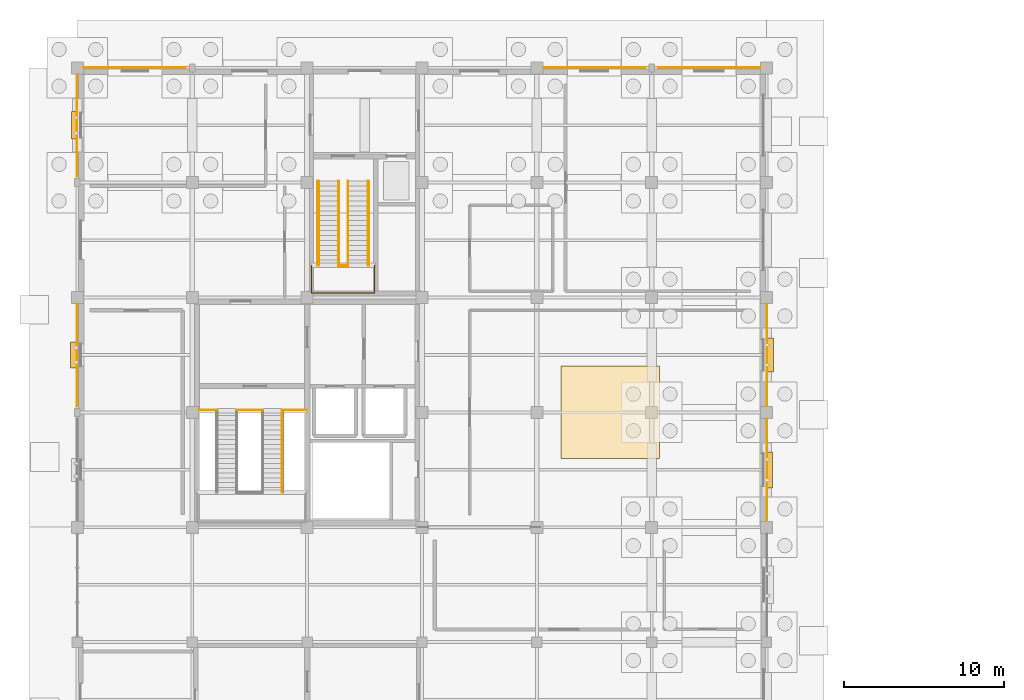
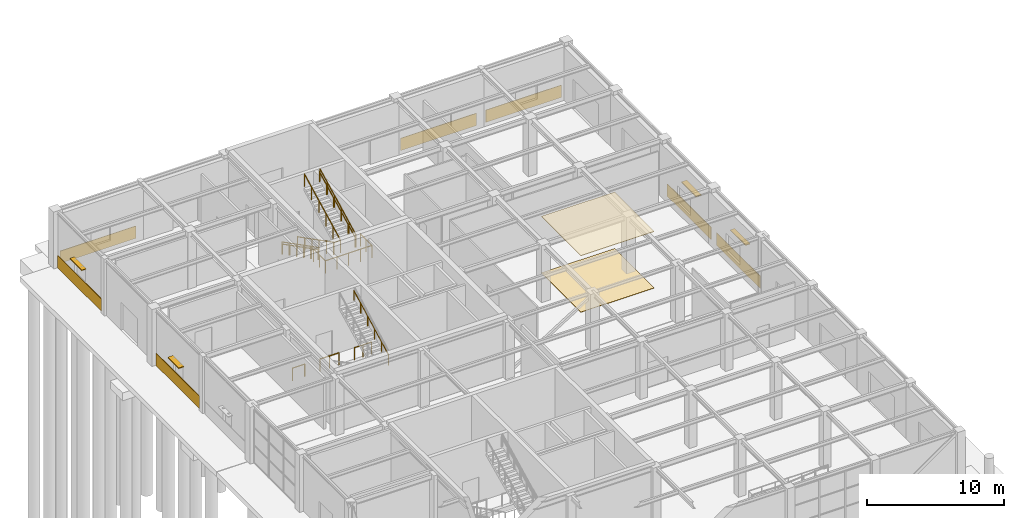
# One storey, part 73 of 75: 12 railings, 9 coverings, 4 shading devices.
"""IFC4 building model written with IfcOpenShell, lengths in metres."""

from ifc_helpers import new_model, si_unit, direction, frame, origin, origin_2d, place, context, subcontext, project, spatial, rectangle, circle, extrude, material, layer, layer_set, type_object, element, save


model = new_model("IFC4")

# Units and contexts
model_context = context("Model", 3, precision=1e-05, world=origin(), true_north=direction((0.0, 1.0)))
body_context = subcontext(model_context, "Body", "Model", "MODEL_VIEW")
ifc_project = project(units=[si_unit("LENGTHUNIT", "METRE"), si_unit("AREAUNIT", "SQUARE_METRE"), si_unit("VOLUMEUNIT", "CUBIC_METRE"), si_unit("PLANEANGLEUNIT", "RADIAN"), si_unit("MASSUNIT", "GRAM", prefix="KILO")], contexts=[model_context])

# Site, building, storey
site_placement = place(None, origin())
site = spatial("IfcSite", under=ifc_project, at=site_placement, CompositionType="ELEMENT")
building_placement = place(site_placement, origin())
building = spatial("IfcBuilding", under=site, at=building_placement, Name="Leyfeld Transit Interchange", CompositionType="ELEMENT")
storey_placement = place(building_placement, origin())
storey = spatial("IfcBuildingStorey", under=building, at=storey_placement, Name="L00", CompositionType="ELEMENT", Elevation=0.0)

# Coverings
ifc_material_1 = material(Name="Leitha limestone ashlar - Insulated", Category="masonry")
ifc_layer_1 = layer(ifc_material_1, 0.044921875, Name="Leitha limestone ashlar - Insulated")
ifc_layer_set_1 = layer_set([ifc_layer_1], Name="Leitha limestone ashlar - Insulated")
covering_type_1 = type_object("IfcCoveringType", Name="COV-CLD-STN", PredefinedType="CLADDING", material=ifc_layer_set_1)
for number, where, z_axis, x_axis, name in (
    (1, (-0.02197265625, 104.39990234375, 0.0), (0.0, 0.0, 1.0), (0.0, 1.0, 0.0), "Limestone Plinth Cladding 004"),
    (2, (-0.02197265625, 118.800048828125, 0.0), (0.0, 0.0, 1.0), (0.0, 1.0, 0.0), "Limestone Plinth Cladding 005"),
    (3, (3.60009765625, 122.422119140625, 0.0), (0.0, 0.0, 1.0), (1.0, 0.0, 0.0), "Limestone Plinth Cladding 006"),
    (4, (32.39990234375, 122.422119140625, 0.0), (0.0, 0.0, 1.0), (1.0, 0.0, 0.0), "Limestone Plinth Cladding 007"),
    (5, (39.60009765625, 122.422119140625, 0.0), (0.0, 0.0, 1.0), (1.0, 0.0, 0.0), "Limestone Plinth Cladding 008"),
    (6, (43.221923828125, 104.39990234375, 0.0), (0.0, 0.0, 1.0), (0.0, -1.0, 0.0), "Limestone Plinth Cladding 009"),
    (7, (43.221923828125, 97.199951171875, 0.0), (0.0, 0.0, 1.0), (0.0, -1.0, 0.0), "Limestone Plinth Cladding 010"),
):
    element("IfcCovering", number, at=place(storey_placement, frame(where, z_axis=z_axis, x_axis=x_axis)), inside=storey, type_object=covering_type_1, Name=name, PredefinedType="CLADDING", context=body_context, shape_type="SweptSolid", body=[
        extrude(rectangle(XDim=6.39990234375, YDim=0.044921875, at=origin_2d()), origin(), (0.0, 0.0, 1.0), 1.10009765625),
    ])
ifc_material_2 = material(Name="Austrian larch acoustic slat ceiling", Category="wood")
ifc_layer_2 = layer(ifc_material_2, 0.0400390625, Name="Austrian larch acoustic slat ceiling")
ifc_layer_set_2 = layer_set([ifc_layer_2], Name="Austrian larch acoustic slat ceiling")
covering_type_2 = type_object("IfcCoveringType", Name="COV-CLG-LRC", PredefinedType="CEILING", material=ifc_layer_set_2)
covering_1_placement = place(storey_placement, frame((33.39990234375, 100.800048828125, 5.044921875), z_axis=(0.0, 0.0, 1.0), x_axis=(1.0, 0.0, 0.0)))
element("IfcCovering", 8, at=covering_1_placement, inside=storey, type_object=covering_type_2, Name="Acoustic Slat Ceiling Bus & Rail Crew Sign-On Office", PredefinedType="CEILING", context=body_context, shape_type="SweptSolid", body=[
    extrude(rectangle(XDim=6.199951171875, YDim=5.800048828125, at=origin_2d()), origin(), (0.0, 0.0, 1.0), 0.0400390625),
])
ifc_material_3 = material(Name="Polished Danube terrazzo flooring", Category="stone")
ifc_layer_3 = layer(ifc_material_3, 0.030029296875, Name="Polished Danube terrazzo flooring")
ifc_layer_set_3 = layer_set([ifc_layer_3], Name="Polished Danube terrazzo flooring")
covering_type_3 = type_object("IfcCoveringType", Name="COV-FLR-TRZ", PredefinedType="FLOORING", material=ifc_layer_set_3)
covering_2_placement = place(storey_placement, frame((33.39990234375, 100.800048828125, 0.0), z_axis=(0.0, 0.0, 1.0), x_axis=(1.0, 0.0, 0.0)))
element("IfcCovering", 9, at=covering_2_placement, inside=storey, type_object=covering_type_3, Name="Terrazzo Flooring Bus & Rail Crew Sign-On Office", PredefinedType="FLOORING", context=body_context, shape_type="SweptSolid", body=[
    extrude(rectangle(XDim=6.199951171875, YDim=5.800048828125, at=origin_2d()), origin(), (0.0, 0.0, 1.0), 0.030029296875),
])

# Railings
ifc_material_4 = material(Name="Stainless steel EN 1.4404", Category="steel")
railing_type_1 = type_object("IfcRailingType", Name="RL-STR-GRD-1100", PredefinedType="GUARDRAIL", material=ifc_material_4)
railing_1_placement = place(storey_placement, frame((7.669921875, 100.949951171875, 0.0)))
element("IfcRailing", 10, at=railing_1_placement, inside=storey, type_object=railing_type_1, Name="Stair ST-01 Landing Guard FLW L00", PredefinedType="GUARDRAIL", context=body_context, shape_type="SweptSolid", body=[
    extrude(circle(Radius=0.02392578125, at=origin_2d()), frame((0.0, 0.0, 1.09619140625), z_axis=(1.0, 0.0, 0.0), x_axis=(0.0, 1.0, 0.0)), (0.0, 0.0, 1.0), 1.030029296875),
    extrude(circle(Radius=0.02099609375, at=origin_2d()), origin(), (0.0, 0.0, 1.0), 1.072021484375),
    extrude(circle(Radius=0.02099609375, at=origin_2d()), frame((1.030029296875, 0.0, 0.0)), (0.0, 0.0, 1.0), 1.072021484375),
])
railing_2_placement = place(storey_placement, frame((10.0, 100.949951171875, 0.0)))
element("IfcRailing", 11, at=railing_2_placement, inside=storey, type_object=railing_type_1, Name="Stair ST-01 Landing Guard EYE L00", PredefinedType="GUARDRAIL", context=body_context, shape_type="SweptSolid", body=[
    extrude(circle(Radius=0.02392578125, at=origin_2d()), frame((0.0, 0.0, 1.09619140625), z_axis=(1.0, 0.0, 0.0), x_axis=(0.0, 1.0, 0.0)), (0.0, 0.0, 1.0), 1.60009765625),
    extrude(circle(Radius=0.02099609375, at=origin_2d()), origin(), (0.0, 0.0, 1.0), 1.072021484375),
    extrude(circle(Radius=0.02099609375, at=origin_2d()), frame((0.800048828125, 0.0, 0.0)), (0.0, 0.0, 1.0), 1.072021484375),
    extrude(circle(Radius=0.02099609375, at=origin_2d()), frame((1.60009765625, 0.0, 0.0)), (0.0, 0.0, 1.0), 1.072021484375),
])
railing_3_placement = place(storey_placement, frame((12.89990234375, 100.949951171875, 0.0)))
element("IfcRailing", 12, at=railing_3_placement, inside=storey, type_object=railing_type_1, Name="Stair ST-01 Landing Guard FLE L00", PredefinedType="GUARDRAIL", context=body_context, shape_type="SweptSolid", body=[
    extrude(circle(Radius=0.02392578125, at=origin_2d()), frame((0.0, 0.0, 1.09619140625), z_axis=(1.0, 0.0, 0.0), x_axis=(0.0, 1.0, 0.0)), (0.0, 0.0, 1.0), 1.4501953125),
    extrude(circle(Radius=0.02099609375, at=origin_2d()), origin(), (0.0, 0.0, 1.0), 1.072021484375),
    extrude(circle(Radius=0.02099609375, at=origin_2d()), frame((0.72509765625, 0.0, 0.0)), (0.0, 0.0, 1.0), 1.072021484375),
    extrude(circle(Radius=0.02099609375, at=origin_2d()), frame((1.4501953125, 0.0, 0.0)), (0.0, 0.0, 1.0), 1.072021484375),
])
railing_4_placement = place(storey_placement, frame((16.3798828125, 109.989990234375, 2.699951171875)))
element("IfcRailing", 13, at=railing_4_placement, inside=storey, type_object=railing_type_1, Name="Stair ST-02 L00 Half-Landing Inner Guard", PredefinedType="GUARDRAIL", context=body_context, shape_type="SweptSolid", body=[
    extrude(circle(Radius=0.02392578125, at=origin_2d()), frame((0.0, 0.0, 1.09619140625), z_axis=(1.0, 0.0, 0.0), x_axis=(0.0, 1.0, 0.0)), (0.0, 0.0, 1.0), 0.580078125),
    extrude(circle(Radius=0.02099609375, at=origin_2d()), origin(), (0.0, 0.0, 1.0), 1.072021484375),
    extrude(circle(Radius=0.02099609375, at=origin_2d()), frame((0.580078125, 0.0, 0.0)), (0.0, 0.0, 1.0), 1.072021484375),
])
railing_5_placement = place(storey_placement, frame((14.679931640625, 109.989990234375, 2.699951171875)))
element("IfcRailing", 14, at=railing_5_placement, inside=storey, type_object=railing_type_1, Name="Stair ST-02 L00 Half-Landing Perimeter Guard", PredefinedType="GUARDRAIL", context=body_context, shape_type="SweptSolid", body=[
    extrude(circle(Radius=0.02392578125, at=origin_2d()), frame((0.0, 0.0, 1.09619140625), z_axis=(0.0, -1.0, 0.0), x_axis=(1.0, 0.0, 0.0)), (0.0, 0.0, 1.0), 1.7099609375),
    extrude(circle(Radius=0.02392578125, at=origin_2d()), frame((0.0, -1.7099609375, 1.09619140625), z_axis=(1.0, 0.0, 0.0), x_axis=(0.0, 1.0, 0.0)), (0.0, 0.0, 1.0), 3.940185546875),
    extrude(circle(Radius=0.02392578125, at=origin_2d()), frame((3.940185546875, -1.7099609375, 1.09619140625), z_axis=(0.0, 1.0, 0.0), x_axis=(-1.0, 0.0, 0.0)), (0.0, 0.0, 1.0), 1.7099609375),
    extrude(circle(Radius=0.02099609375, at=origin_2d()), origin(), (0.0, 0.0, 1.0), 1.072021484375),
    extrude(circle(Radius=0.02099609375, at=origin_2d()), frame((0.0, -0.85498046875, 0.0)), (0.0, 0.0, 1.0), 1.072021484375),
    extrude(circle(Radius=0.02099609375, at=origin_2d()), frame((0.0, -1.7099609375, 0.0)), (0.0, 0.0, 1.0), 1.072021484375),
    extrude(circle(Radius=0.02099609375, at=origin_2d()), frame((0.985107421875, -1.7099609375, 0.0)), (0.0, 0.0, 1.0), 1.072021484375),
    extrude(circle(Radius=0.02099609375, at=origin_2d()), frame((1.97021484375, -1.7099609375, 0.0)), (0.0, 0.0, 1.0), 1.072021484375),
    extrude(circle(Radius=0.02099609375, at=origin_2d()), frame((2.955078125, -1.7099609375, 0.0)), (0.0, 0.0, 1.0), 1.072021484375),
    extrude(circle(Radius=0.02099609375, at=origin_2d()), frame((3.940185546875, -1.7099609375, 0.0)), (0.0, 0.0, 1.0), 1.072021484375),
    extrude(circle(Radius=0.02099609375, at=origin_2d()), frame((3.940185546875, -0.85498046875, 0.0)), (0.0, 0.0, 1.0), 1.072021484375),
    extrude(circle(Radius=0.02099609375, at=origin_2d()), frame((3.940185546875, 0.0, 0.0)), (0.0, 0.0, 1.0), 1.072021484375),
])
for number, where, name in (
    (15, (16.3798828125, 115.300048828125, 0.0), "Stair ST-02 L00 F1 Inner Guard"),
    (16, (15.06005859375, 115.300048828125, 0.0), "Stair ST-02 L00 F1 Outer Guard"),
):
    element("IfcRailing", number, at=place(storey_placement, frame(where)), inside=storey, type_object=railing_type_1, Name=name, PredefinedType="GUARDRAIL", context=body_context, shape_type="SweptSolid", body=[
        extrude(circle(Radius=0.02392578125, at=origin_2d()), frame((0.0, 0.0, 1.09619140625), z_axis=(0.0, -0.889997253095, 0.455965886314), x_axis=(1.0, 0.0, 0.0)), (0.0, 0.0, 1.0), 5.92138671875),
        extrude(circle(Radius=0.02099609375, at=origin_2d()), origin(), (0.0, 0.0, 1.0), 1.072021484375),
        extrude(circle(Radius=0.02099609375, at=origin_2d()), frame((0.0, -1.053955078125, 0.5400390625)), (0.0, 0.0, 1.0), 1.072021484375),
        extrude(circle(Radius=0.02099609375, at=origin_2d()), frame((0.0, -2.10791015625, 1.080078125)), (0.0, 0.0, 1.0), 1.072021484375),
        extrude(circle(Radius=0.02099609375, at=origin_2d()), frame((0.0, -3.162109375, 1.619873046875)), (0.0, 0.0, 1.0), 1.072021484375),
        extrude(circle(Radius=0.02099609375, at=origin_2d()), frame((0.0, -4.216064453125, 2.159912109375)), (0.0, 0.0, 1.0), 1.072021484375),
        extrude(circle(Radius=0.02099609375, at=origin_2d()), frame((0.0, -5.27001953125, 2.699951171875)), (0.0, 0.0, 1.0), 1.072021484375),
    ])
for number, where, name in (
    (17, (16.9599609375, 110.030029296875, 2.699951171875), "Stair ST-02 L00 F2 Inner Guard"),
    (18, (18.280029296875, 110.030029296875, 2.699951171875), "Stair ST-02 L00 F2 Outer Guard"),
):
    element("IfcRailing", number, at=place(storey_placement, frame(where)), inside=storey, type_object=railing_type_1, Name=name, PredefinedType="GUARDRAIL", context=body_context, shape_type="SweptSolid", body=[
        extrude(circle(Radius=0.02392578125, at=origin_2d()), frame((0.0, 0.0, 1.09619140625), z_axis=(0.0, 0.889997253095, 0.455965886314), x_axis=(-1.0, 0.0, 0.0)), (0.0, 0.0, 1.0), 5.92138671875),
        extrude(circle(Radius=0.02099609375, at=origin_2d()), origin(), (0.0, 0.0, 1.0), 1.072021484375),
        extrude(circle(Radius=0.02099609375, at=origin_2d()), frame((0.0, 1.053955078125, 0.5400390625)), (0.0, 0.0, 1.0), 1.072021484375),
        extrude(circle(Radius=0.02099609375, at=origin_2d()), frame((0.0, 2.10791015625, 1.080078125)), (0.0, 0.0, 1.0), 1.072021484375),
        extrude(circle(Radius=0.02099609375, at=origin_2d()), frame((0.0, 3.162109375, 1.619873046875)), (0.0, 0.0, 1.0), 1.072021484375),
        extrude(circle(Radius=0.02099609375, at=origin_2d()), frame((0.0, 4.216064453125, 2.159912109375)), (0.0, 0.0, 1.0), 1.072021484375),
        extrude(circle(Radius=0.02099609375, at=origin_2d()), frame((0.0, 5.27001953125, 2.699951171875)), (0.0, 0.0, 1.0), 1.072021484375),
    ])
railing_type_2 = type_object("IfcRailingType", Name="RL-STR-HND-900", PredefinedType="HANDRAIL", material=ifc_material_4)
railing_6_placement = place(storey_placement, frame((12.824951171875, 95.800048828125, 2.699951171875)))
element("IfcRailing", 19, at=railing_6_placement, inside=storey, type_object=railing_type_2, Name="Stair ST-01 L00 F2 Handrail", PredefinedType="HANDRAIL", context=body_context, shape_type="SweptSolid", body=[
    extrude(circle(Radius=0.02392578125, at=origin_2d()), frame((0.0, 0.0, 0.8759765625), z_axis=(0.0, 0.883785858079, 0.467891608238), x_axis=(-1.0, 0.0, 0.0)), (0.0, 0.0, 1.0), 5.7705078125),
    extrude(circle(Radius=0.02099609375, at=origin_2d()), origin(), (0.0, 0.0, 1.0), 0.851806640625),
    extrude(circle(Radius=0.02099609375, at=origin_2d()), frame((0.0, 1.02001953125, 0.5400390625)), (0.0, 0.0, 1.0), 0.851806640625),
    extrude(circle(Radius=0.02099609375, at=origin_2d()), frame((0.0, 2.0400390625, 1.080078125)), (0.0, 0.0, 1.0), 0.851806640625),
    extrude(circle(Radius=0.02099609375, at=origin_2d()), frame((0.0, 3.059814453125, 1.619873046875)), (0.0, 0.0, 1.0), 0.851806640625),
    extrude(circle(Radius=0.02099609375, at=origin_2d()), frame((0.0, 4.079833984375, 2.159912109375)), (0.0, 0.0, 1.0), 0.851806640625),
    extrude(circle(Radius=0.02099609375, at=origin_2d()), frame((0.0, 5.099853515625, 2.699951171875)), (0.0, 0.0, 1.0), 0.851806640625),
])
railing_7_placement = place(storey_placement, frame((15.1201171875, 115.300048828125, 0.0)))
element("IfcRailing", 20, at=railing_7_placement, inside=storey, type_object=railing_type_2, Name="Stair ST-02 L00 F1 Handrail", PredefinedType="HANDRAIL", context=body_context, shape_type="SweptSolid", body=[
    extrude(circle(Radius=0.02392578125, at=origin_2d()), frame((0.0, 0.0, 0.8759765625), z_axis=(0.0, -0.889997253095, 0.455965886314), x_axis=(1.0, 0.0, 0.0)), (0.0, 0.0, 1.0), 5.92138671875),
    extrude(circle(Radius=0.02099609375, at=origin_2d()), origin(), (0.0, 0.0, 1.0), 0.851806640625),
    extrude(circle(Radius=0.02099609375, at=origin_2d()), frame((0.0, -1.053955078125, 0.5400390625)), (0.0, 0.0, 1.0), 0.851806640625),
    extrude(circle(Radius=0.02099609375, at=origin_2d()), frame((0.0, -2.10791015625, 1.080078125)), (0.0, 0.0, 1.0), 0.851806640625),
    extrude(circle(Radius=0.02099609375, at=origin_2d()), frame((0.0, -3.162109375, 1.619873046875)), (0.0, 0.0, 1.0), 0.851806640625),
    extrude(circle(Radius=0.02099609375, at=origin_2d()), frame((0.0, -4.216064453125, 2.159912109375)), (0.0, 0.0, 1.0), 0.851806640625),
    extrude(circle(Radius=0.02099609375, at=origin_2d()), frame((0.0, -5.27001953125, 2.699951171875)), (0.0, 0.0, 1.0), 0.851806640625),
])
railing_8_placement = place(storey_placement, frame((18.219970703125, 110.030029296875, 2.699951171875)))
element("IfcRailing", 21, at=railing_8_placement, inside=storey, type_object=railing_type_2, Name="Stair ST-02 L00 F2 Handrail", PredefinedType="HANDRAIL", context=body_context, shape_type="SweptSolid", body=[
    extrude(circle(Radius=0.02392578125, at=origin_2d()), frame((0.0, 0.0, 0.8759765625), z_axis=(0.0, 0.889997253095, 0.455965886314), x_axis=(-1.0, 0.0, 0.0)), (0.0, 0.0, 1.0), 5.92138671875),
    extrude(circle(Radius=0.02099609375, at=origin_2d()), origin(), (0.0, 0.0, 1.0), 0.851806640625),
    extrude(circle(Radius=0.02099609375, at=origin_2d()), frame((0.0, 1.053955078125, 0.5400390625)), (0.0, 0.0, 1.0), 0.851806640625),
    extrude(circle(Radius=0.02099609375, at=origin_2d()), frame((0.0, 2.10791015625, 1.080078125)), (0.0, 0.0, 1.0), 0.851806640625),
    extrude(circle(Radius=0.02099609375, at=origin_2d()), frame((0.0, 3.162109375, 1.619873046875)), (0.0, 0.0, 1.0), 0.851806640625),
    extrude(circle(Radius=0.02099609375, at=origin_2d()), frame((0.0, 4.216064453125, 2.159912109375)), (0.0, 0.0, 1.0), 0.851806640625),
    extrude(circle(Radius=0.02099609375, at=origin_2d()), frame((0.0, 5.27001953125, 2.699951171875)), (0.0, 0.0, 1.0), 0.851806640625),
])

# Shading devices
ifc_material_5 = material(Name="Anodised aluminium EN AW-6060 T66", Category="aluminium")
ifc_layer_4 = layer(ifc_material_5, 0.054931640625, Name="Anodised aluminium EN AW-6060 T66")
ifc_layer_set_4 = layer_set([ifc_layer_4], Name="Anodised aluminium EN AW-6060 T66")
shading_device_type_1 = type_object("IfcShadingDeviceType", Name="SHD-ALU-380", PredefinedType="JALOUSIE", material=ifc_layer_set_4)
shading_device_1_placement = place(storey_placement, frame((-0.169921875, 118.800048828125, 2.32275390625), z_axis=(0.0, 0.0, 1.0), x_axis=(0.0, 1.0, 0.0)))
element("IfcShadingDevice", 22, at=shading_device_1_placement, inside=storey, type_object=shading_device_type_1, Name="Prairie Solar Shading Fin 004", PredefinedType="JALOUSIE", context=body_context, shape_type="SweptSolid", body=[
    extrude(rectangle(XDim=1.75, YDim=0.3798828125, at=origin_2d()), origin(), (0.0, 0.0, 1.0), 0.054931640625),
])
shading_device_2_placement = place(storey_placement, frame((43.3701171875, 97.199951171875, 2.57275390625), z_axis=(0.0, 0.0, 1.0), x_axis=(0.0, -1.0, 0.0)))
element("IfcShadingDevice", 23, at=shading_device_2_placement, inside=storey, type_object=shading_device_type_1, Name="Prairie Solar Shading Fin 006", PredefinedType="JALOUSIE", context=body_context, shape_type="SweptSolid", body=[
    extrude(rectangle(XDim=2.25, YDim=0.3798828125, at=origin_2d()), origin(), (0.0, 0.0, 1.0), 0.054931640625),
])
ifc_material_6 = material(Name="Austrian larch glulam GL28h", Category="wood")
ifc_layer_5 = layer(ifc_material_6, 0.06494140625, Name="Austrian larch glulam GL28h")
ifc_layer_set_5 = layer_set([ifc_layer_5], Name="Austrian larch glulam GL28h")
shading_device_type_2 = type_object("IfcShadingDeviceType", Name="SHD-LRC-450", PredefinedType="JALOUSIE", material=ifc_layer_set_5)
shading_device_3_placement = place(storey_placement, frame((-0.205078125, 104.39990234375, 2.267578125), z_axis=(0.0, 0.0, 1.0), x_axis=(0.0, 1.0, 0.0)))
element("IfcShadingDevice", 24, at=shading_device_3_placement, inside=storey, type_object=shading_device_type_2, Name="Prairie Solar Shading Fin 003", PredefinedType="JALOUSIE", context=body_context, shape_type="SweptSolid", body=[
    extrude(rectangle(XDim=1.60009765625, YDim=0.449951171875, at=origin_2d()), origin(), (0.0, 0.0, 1.0), 0.06494140625),
])
shading_device_4_placement = place(storey_placement, frame((43.405029296875, 104.39990234375, 2.517578125), z_axis=(0.0, 0.0, 1.0), x_axis=(0.0, -1.0, 0.0)))
element("IfcShadingDevice", 25, at=shading_device_4_placement, inside=storey, type_object=shading_device_type_2, Name="Prairie Solar Shading Fin 005", PredefinedType="JALOUSIE", context=body_context, shape_type="SweptSolid", body=[
    extrude(rectangle(XDim=2.14990234375, YDim=0.449951171875, at=origin_2d()), origin(), (0.0, 0.0, 1.0), 0.06494140625),
])

save(model, "model.ifc")
